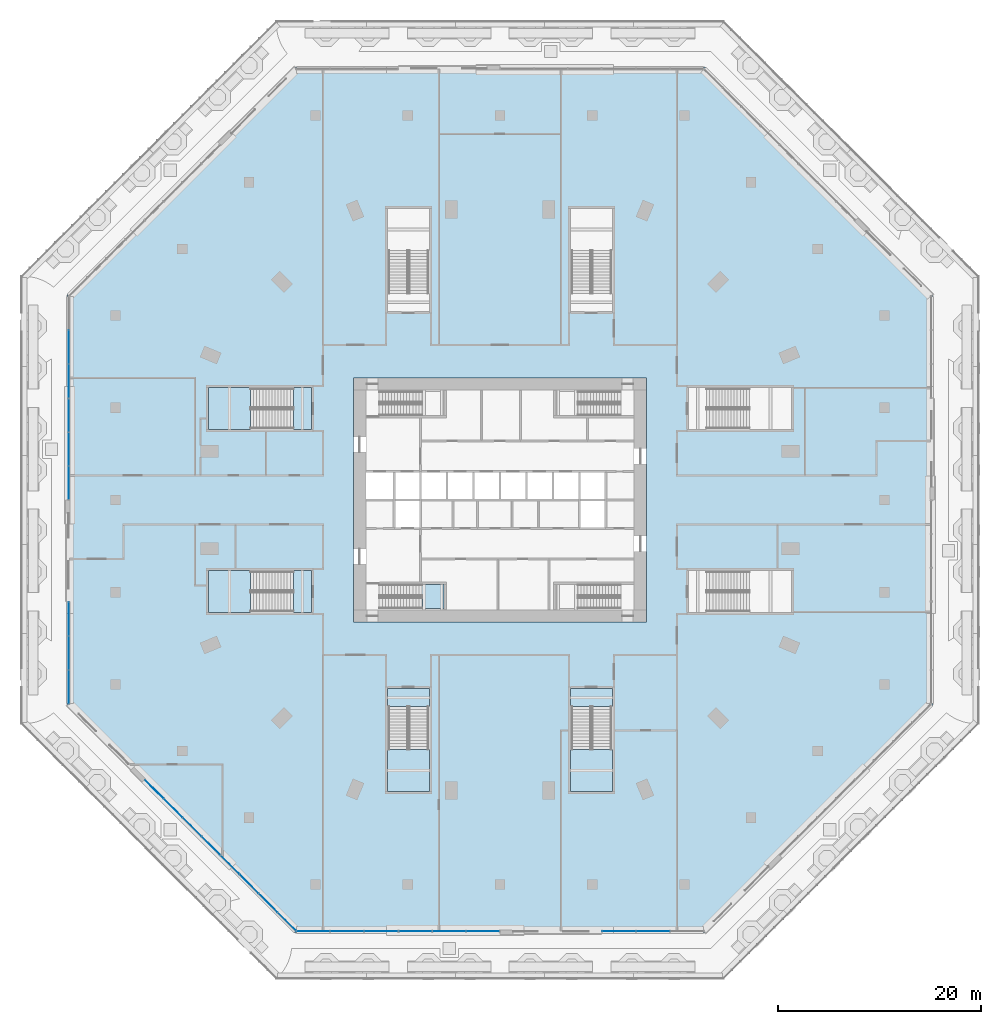
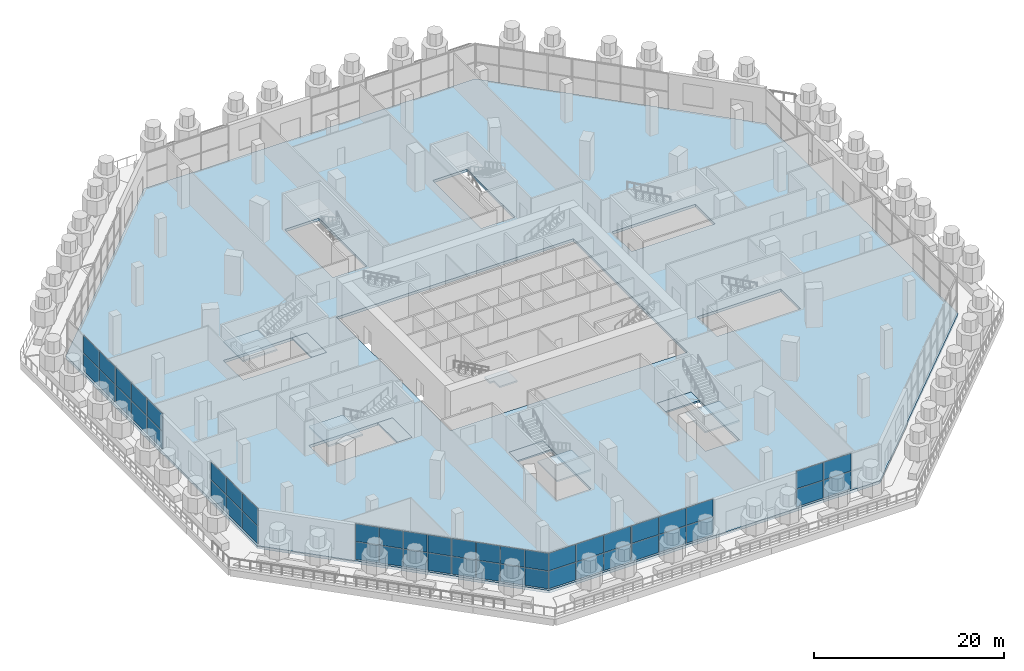
# One storey, part 18 of 32: 48 plates, 10 slabs, 13 elements without a shape of their own.
"""IFC4 building model written with IfcOpenShell, lengths in metres."""

from ifc_helpers import new_model, si_unit, direction, frame, origin, origin_2d, place, context, subcontext, project, spatial, polyline, rectangle, outline, extrude, material, layer, layer_set, type_object, element, aggregate, save


model = new_model("IFC4")

# Units and contexts
model_context = context("Model", 3, precision=1e-05, world=origin(), true_north=direction((0.0, 1.0)))
body_context = subcontext(model_context, "Body", "Model", "MODEL_VIEW")
ifc_project = project(units=[si_unit("LENGTHUNIT", "METRE"), si_unit("AREAUNIT", "SQUARE_METRE"), si_unit("VOLUMEUNIT", "CUBIC_METRE"), si_unit("PLANEANGLEUNIT", "RADIAN"), si_unit("MASSUNIT", "GRAM", prefix="KILO")], contexts=[model_context])

# Site, building, storey
site_placement = place(None, origin())
site = spatial("IfcSite", under=ifc_project, at=site_placement, CompositionType="ELEMENT")
building_placement = place(site_placement, origin())
building = spatial("IfcBuilding", under=site, at=building_placement, Name="Msitu Wima Residences", CompositionType="ELEMENT")
storey_placement = place(building_placement, frame((0.0, 0.0, 6.0)))
storey = spatial("IfcBuildingStorey", under=building, at=storey_placement, Name="L01", CompositionType="ELEMENT", Elevation=6.0)

# Slab
ifc_material_1 = material(Name="Concrete C40/50", Category="concrete")
ifc_layer_1 = layer(ifc_material_1, 0.35009765625)
ifc_layer_set_1 = layer_set([ifc_layer_1], Name="Concrete C40/50")
slab_type_1 = type_object("IfcSlabType", Name="Floor slab FS350", PredefinedType="FLOOR", material=ifc_layer_set_1)
slab_1_placement = place(storey_placement, frame((0.0, 0.0, -0.35009765625)))
element("IfcSlab", 1, at=slab_1_placement, inside=storey, type_object=slab_type_1, Name="Floor slab L01", PredefinedType="FLOOR", context=body_context, shape_type="SweptSolid", body=[
    extrude(outline(polyline([(20.1162109375, -42.60009765625), (-20.1162109375, -42.60009765625), (-42.60009765625, -20.1162109375), (-42.60009765625, 20.1162109375), (-20.1162109375, 42.60009765625), (20.1162109375, 42.60009765625), (42.60009765625, 20.1162109375), (42.60009765625, -20.1162109375), (20.1162109375, -42.60009765625)]), holes=[polyline([(14.39990234375, 12.0), (-14.39990234375, 12.0), (-14.39990234375, -12.0), (14.39990234375, -12.0), (14.39990234375, 12.0)]), polyline([(18.52490234375, 6.925048828125), (28.675048828125, 6.925048828125), (28.675048828125, 11.074951171875), (18.52490234375, 11.074951171875), (18.52490234375, 6.925048828125)]), polyline([(28.675048828125, -6.925048828125), (18.52490234375, -6.925048828125), (18.52490234375, -11.074951171875), (28.675048828125, -11.074951171875), (28.675048828125, -6.925048828125)]), polyline([(-11.074951171875, 28.675048828125), (-11.074951171875, 18.52490234375), (-6.925048828125, 18.52490234375), (-6.925048828125, 28.675048828125), (-11.074951171875, 28.675048828125)]), polyline([(11.074951171875, 18.52490234375), (11.074951171875, 28.675048828125), (6.925048828125, 28.675048828125), (6.925048828125, 18.52490234375), (11.074951171875, 18.52490234375)]), polyline([(-18.52490234375, -6.925048828125), (-28.675048828125, -6.925048828125), (-28.675048828125, -11.074951171875), (-18.52490234375, -11.074951171875), (-18.52490234375, -6.925048828125)]), polyline([(-28.675048828125, 6.925048828125), (-18.52490234375, 6.925048828125), (-18.52490234375, 11.074951171875), (-28.675048828125, 11.074951171875), (-28.675048828125, 6.925048828125)]), polyline([(11.074951171875, -28.675048828125), (11.074951171875, -18.52490234375), (6.925048828125, -18.52490234375), (6.925048828125, -28.675048828125), (11.074951171875, -28.675048828125)]), polyline([(-11.074951171875, -18.52490234375), (-11.074951171875, -28.675048828125), (-6.925048828125, -28.675048828125), (-6.925048828125, -18.52490234375), (-11.074951171875, -18.52490234375)])]), origin(), (0.0, 0.0, 1.0), 0.35009765625),
])

# Curtain wall, plates
ifc_material_2 = material(Name="Anodised aluminium, bronze finish, clear low-emissivity double glazing", Category="aluminium")
curtain_wall_type = type_object("IfcCurtainWallType", Name="Curtain wall CW5 retail shopfront", PredefinedType="NOTDEFINED", material=ifc_material_2)
curtain_wall_1_placement = place(storey_placement, origin())
curtain_wall_1 = element("IfcCurtainWall", 2, at=curtain_wall_1_placement, inside=storey, type_object=curtain_wall_type, Name="Curtain wall CW5 L01 W0", PredefinedType="NOTDEFINED")
ifc_material_3 = material(Name="Clear low-emissivity double glazing", Category="glass")
ifc_layer_2 = layer(ifc_material_3, 0.031982421875)
ifc_layer_set_2 = layer_set([ifc_layer_2], Name="Clear low-emissivity double glazing")
plate_type = type_object("IfcPlateType", Name="Glass panel CW5 32", PredefinedType="CURTAIN_PANEL", material=ifc_layer_set_2)
plate_1_placement = place(storey_placement, frame((-42.39990234375, 15.04052734375, 0.06494140625), z_axis=(0.0, 0.0, 1.0), x_axis=(0.0, -1.0, 0.0)))
plate_1 = element("IfcPlate", 3, at=plate_1_placement, type_object=plate_type, Name="CW5 panel 2.1", PredefinedType="CURTAIN_PANEL", context=body_context, shape_type="SweptSolid", body=[
    extrude(rectangle(XDim=3.298095703125, YDim=0.031982421875, at=origin_2d()), origin(), (0.0, 0.0, 1.0), 2.25244140625),
])
plate_2_placement = place(storey_placement, frame((-42.39990234375, 15.04052734375, 2.382568359375), z_axis=(0.0, 0.0, 1.0), x_axis=(0.0, -1.0, 0.0)))
plate_2 = element("IfcPlate", 4, at=plate_2_placement, type_object=plate_type, Name="CW5 panel 2.2", PredefinedType="CURTAIN_PANEL", context=body_context, shape_type="SweptSolid", body=[
    extrude(rectangle(XDim=3.298095703125, YDim=0.031982421875, at=origin_2d()), origin(), (0.0, 0.0, 1.0), 2.25244140625),
])
plate_3_placement = place(storey_placement, frame((-42.39990234375, 11.693603515625, 0.06494140625), z_axis=(0.0, 0.0, 1.0), x_axis=(0.0, -1.0, 0.0)))
plate_3 = element("IfcPlate", 5, at=plate_3_placement, type_object=plate_type, Name="CW5 panel 3.1", PredefinedType="CURTAIN_PANEL", context=body_context, shape_type="SweptSolid", body=[
    extrude(rectangle(XDim=3.265625, YDim=0.031982421875, at=origin_2d()), origin(), (0.0, 0.0, 1.0), 2.25244140625),
])
plate_4_placement = place(storey_placement, frame((-42.39990234375, 11.693603515625, 2.382568359375), z_axis=(0.0, 0.0, 1.0), x_axis=(0.0, -1.0, 0.0)))
plate_4 = element("IfcPlate", 6, at=plate_4_placement, type_object=plate_type, Name="CW5 panel 3.2", PredefinedType="CURTAIN_PANEL", context=body_context, shape_type="SweptSolid", body=[
    extrude(rectangle(XDim=3.265625, YDim=0.031982421875, at=origin_2d()), origin(), (0.0, 0.0, 1.0), 2.25244140625),
])
aggregate(curtain_wall_1, [plate_1, plate_2, plate_3, plate_4])

curtain_wall_2_placement = place(storey_placement, origin())
curtain_wall_2 = element("IfcCurtainWall", 7, at=curtain_wall_2_placement, inside=storey, type_object=curtain_wall_type, Name="Curtain wall CW5 L01 W1", PredefinedType="NOTDEFINED")
plate_5_placement = place(storey_placement, frame((-42.39990234375, 8.313720703125, 0.06494140625), z_axis=(0.0, 0.0, 1.0), x_axis=(0.0, -1.0, 0.0)))
plate_5 = element("IfcPlate", 8, at=plate_5_placement, type_object=plate_type, Name="CW5 panel 1.1", PredefinedType="CURTAIN_PANEL", context=body_context, shape_type="SweptSolid", body=[
    extrude(rectangle(XDim=3.234375, YDim=0.031982421875, at=origin_2d()), origin(), (0.0, 0.0, 1.0), 2.25244140625),
])
plate_6_placement = place(storey_placement, frame((-42.39990234375, 8.313720703125, 2.382568359375), z_axis=(0.0, 0.0, 1.0), x_axis=(0.0, -1.0, 0.0)))
plate_6 = element("IfcPlate", 9, at=plate_6_placement, type_object=plate_type, Name="CW5 panel 1.2", PredefinedType="CURTAIN_PANEL", context=body_context, shape_type="SweptSolid", body=[
    extrude(rectangle(XDim=3.234375, YDim=0.031982421875, at=origin_2d()), origin(), (0.0, 0.0, 1.0), 2.25244140625),
])
plate_7_placement = place(storey_placement, frame((-42.39990234375, 4.998046875, 0.06494140625), z_axis=(0.0, 0.0, 1.0), x_axis=(0.0, -1.0, 0.0)))
plate_7 = element("IfcPlate", 10, at=plate_7_placement, type_object=plate_type, Name="CW5 panel 2.1", PredefinedType="CURTAIN_PANEL", context=body_context, shape_type="SweptSolid", body=[
    extrude(rectangle(XDim=3.26708984375, YDim=0.031982421875, at=origin_2d()), origin(), (0.0, 0.0, 1.0), 2.25244140625),
])
plate_8_placement = place(storey_placement, frame((-42.39990234375, 4.998046875, 2.382568359375), z_axis=(0.0, 0.0, 1.0), x_axis=(0.0, -1.0, 0.0)))
plate_8 = element("IfcPlate", 11, at=plate_8_placement, type_object=plate_type, Name="CW5 panel 2.2", PredefinedType="CURTAIN_PANEL", context=body_context, shape_type="SweptSolid", body=[
    extrude(rectangle(XDim=3.26708984375, YDim=0.031982421875, at=origin_2d()), origin(), (0.0, 0.0, 1.0), 2.25244140625),
])
plate_9_placement = place(storey_placement, frame((-42.39990234375, 1.68212890625, 0.06494140625), z_axis=(0.0, 0.0, 1.0), x_axis=(0.0, -1.0, 0.0)))
plate_9 = element("IfcPlate", 12, at=plate_9_placement, type_object=plate_type, Name="CW5 panel 3.1", PredefinedType="CURTAIN_PANEL", context=body_context, shape_type="SweptSolid", body=[
    extrude(rectangle(XDim=3.234375, YDim=0.031982421875, at=origin_2d()), origin(), (0.0, 0.0, 1.0), 2.25244140625),
])
plate_10_placement = place(storey_placement, frame((-42.39990234375, 1.68212890625, 2.382568359375), z_axis=(0.0, 0.0, 1.0), x_axis=(0.0, -1.0, 0.0)))
plate_10 = element("IfcPlate", 13, at=plate_10_placement, type_object=plate_type, Name="CW5 panel 3.2", PredefinedType="CURTAIN_PANEL", context=body_context, shape_type="SweptSolid", body=[
    extrude(rectangle(XDim=3.234375, YDim=0.031982421875, at=origin_2d()), origin(), (0.0, 0.0, 1.0), 2.25244140625),
])
aggregate(curtain_wall_2, [plate_5, plate_6, plate_7, plate_8, plate_9, plate_10])

curtain_wall_3_placement = place(storey_placement, origin())
curtain_wall_3 = element("IfcCurtainWall", 14, at=curtain_wall_3_placement, inside=storey, type_object=curtain_wall_type, Name="Curtain wall CW5 L01 W3", PredefinedType="NOTDEFINED")
plate_11_placement = place(storey_placement, frame((-42.39990234375, -11.693603515625, 0.06494140625), z_axis=(0.0, 0.0, 1.0), x_axis=(0.0, -1.0, 0.0)))
plate_11 = element("IfcPlate", 15, at=plate_11_placement, type_object=plate_type, Name="CW5 panel 1.1", PredefinedType="CURTAIN_PANEL", context=body_context, shape_type="SweptSolid", body=[
    extrude(rectangle(XDim=3.265625, YDim=0.031982421875, at=origin_2d()), origin(), (0.0, 0.0, 1.0), 2.25244140625),
])
plate_12_placement = place(storey_placement, frame((-42.39990234375, -11.693603515625, 2.382568359375), z_axis=(0.0, 0.0, 1.0), x_axis=(0.0, -1.0, 0.0)))
plate_12 = element("IfcPlate", 16, at=plate_12_placement, type_object=plate_type, Name="CW5 panel 1.2", PredefinedType="CURTAIN_PANEL", context=body_context, shape_type="SweptSolid", body=[
    extrude(rectangle(XDim=3.265625, YDim=0.031982421875, at=origin_2d()), origin(), (0.0, 0.0, 1.0), 2.25244140625),
])
plate_13_placement = place(storey_placement, frame((-42.39990234375, -15.04052734375, 0.06494140625), z_axis=(0.0, 0.0, 1.0), x_axis=(0.0, -1.0, 0.0)))
plate_13 = element("IfcPlate", 17, at=plate_13_placement, type_object=plate_type, Name="CW5 panel 2.1", PredefinedType="CURTAIN_PANEL", context=body_context, shape_type="SweptSolid", body=[
    extrude(rectangle(XDim=3.298095703125, YDim=0.031982421875, at=origin_2d()), origin(), (0.0, 0.0, 1.0), 2.25244140625),
])
plate_14_placement = place(storey_placement, frame((-42.39990234375, -15.04052734375, 2.382568359375), z_axis=(0.0, 0.0, 1.0), x_axis=(0.0, -1.0, 0.0)))
plate_14 = element("IfcPlate", 18, at=plate_14_placement, type_object=plate_type, Name="CW5 panel 2.2", PredefinedType="CURTAIN_PANEL", context=body_context, shape_type="SweptSolid", body=[
    extrude(rectangle(XDim=3.298095703125, YDim=0.031982421875, at=origin_2d()), origin(), (0.0, 0.0, 1.0), 2.25244140625),
])
plate_15_placement = place(storey_placement, frame((-42.39990234375, -18.38720703125, 0.06494140625), z_axis=(0.0, 0.0, 1.0), x_axis=(0.0, -1.0, 0.0)))
plate_15 = element("IfcPlate", 19, at=plate_15_placement, type_object=plate_type, Name="CW5 panel 3.1", PredefinedType="CURTAIN_PANEL", context=body_context, shape_type="SweptSolid", body=[
    extrude(rectangle(XDim=3.265625, YDim=0.031982421875, at=origin_2d()), origin(), (0.0, 0.0, 1.0), 2.25244140625),
])
plate_16_placement = place(storey_placement, frame((-42.39990234375, -18.38720703125, 2.382568359375), z_axis=(0.0, 0.0, 1.0), x_axis=(0.0, -1.0, 0.0)))
plate_16 = element("IfcPlate", 20, at=plate_16_placement, type_object=plate_type, Name="CW5 panel 3.2", PredefinedType="CURTAIN_PANEL", context=body_context, shape_type="SweptSolid", body=[
    extrude(rectangle(XDim=3.265625, YDim=0.031982421875, at=origin_2d()), origin(), (0.0, 0.0, 1.0), 2.25244140625),
])
aggregate(curtain_wall_3, [plate_11, plate_12, plate_13, plate_14, plate_15, plate_16])

curtain_wall_4_placement = place(storey_placement, origin())
curtain_wall_4 = element("IfcCurtainWall", 21, at=curtain_wall_4_placement, inside=storey, type_object=curtain_wall_type, Name="Curtain wall CW5 L01 SW1", PredefinedType="NOTDEFINED")
plate_17_placement = place(storey_placement, frame((-33.99365234375, -28.439697265625, 0.06494140625), z_axis=(0.0, 0.0, 1.0), x_axis=(0.707106781187, -0.707106781187, 0.0)))
plate_17 = element("IfcPlate", 22, at=plate_17_placement, type_object=plate_type, Name="CW5 panel 1.1", PredefinedType="CURTAIN_PANEL", context=body_context, shape_type="SweptSolid", body=[
    extrude(rectangle(XDim=2.531494140625, YDim=0.031982421875, at=origin_2d()), origin(), (0.0, 0.0, 1.0), 2.25244140625),
])
plate_18_placement = place(storey_placement, frame((-33.99365234375, -28.439697265625, 2.382568359375), z_axis=(0.0, 0.0, 1.0), x_axis=(0.707106781187, -0.707106781187, 0.0)))
plate_18 = element("IfcPlate", 23, at=plate_18_placement, type_object=plate_type, Name="CW5 panel 1.2", PredefinedType="CURTAIN_PANEL", context=body_context, shape_type="SweptSolid", body=[
    extrude(rectangle(XDim=2.531494140625, YDim=0.031982421875, at=origin_2d()), origin(), (0.0, 0.0, 1.0), 2.25244140625),
])
plate_19_placement = place(storey_placement, frame((-32.146240234375, -30.287109375, 0.06494140625), z_axis=(0.0, 0.0, 1.0), x_axis=(0.707106781187, -0.707106781187, 0.0)))
plate_19 = element("IfcPlate", 24, at=plate_19_placement, type_object=plate_type, Name="CW5 panel 2.1", PredefinedType="CURTAIN_PANEL", context=body_context, shape_type="SweptSolid", body=[
    extrude(rectangle(XDim=2.56396484375, YDim=0.031982421875, at=origin_2d()), origin(), (0.0, 0.0, 1.0), 2.25244140625),
])
plate_20_placement = place(storey_placement, frame((-32.146240234375, -30.287109375, 2.382568359375), z_axis=(0.0, 0.0, 1.0), x_axis=(0.707106781187, -0.707106781187, 0.0)))
plate_20 = element("IfcPlate", 25, at=plate_20_placement, type_object=plate_type, Name="CW5 panel 2.2", PredefinedType="CURTAIN_PANEL", context=body_context, shape_type="SweptSolid", body=[
    extrude(rectangle(XDim=2.56396484375, YDim=0.031982421875, at=origin_2d()), origin(), (0.0, 0.0, 1.0), 2.25244140625),
])
plate_21_placement = place(storey_placement, frame((-30.287109375, -32.146240234375, 0.06494140625), z_axis=(0.0, 0.0, 1.0), x_axis=(0.707106781187, -0.707106781187, 0.0)))
plate_21 = element("IfcPlate", 26, at=plate_21_placement, type_object=plate_type, Name="CW5 panel 3.1", PredefinedType="CURTAIN_PANEL", context=body_context, shape_type="SweptSolid", body=[
    extrude(rectangle(XDim=2.56396484375, YDim=0.031982421875, at=origin_2d()), origin(), (0.0, 0.0, 1.0), 2.25244140625),
])
plate_22_placement = place(storey_placement, frame((-30.287109375, -32.146240234375, 2.382568359375), z_axis=(0.0, 0.0, 1.0), x_axis=(0.707106781187, -0.707106781187, 0.0)))
plate_22 = element("IfcPlate", 27, at=plate_22_placement, type_object=plate_type, Name="CW5 panel 3.2", PredefinedType="CURTAIN_PANEL", context=body_context, shape_type="SweptSolid", body=[
    extrude(rectangle(XDim=2.56396484375, YDim=0.031982421875, at=origin_2d()), origin(), (0.0, 0.0, 1.0), 2.25244140625),
])
plate_23_placement = place(storey_placement, frame((-28.439697265625, -33.99365234375, 0.06494140625), z_axis=(0.0, 0.0, 1.0), x_axis=(0.707106781187, -0.707106781187, 0.0)))
plate_23 = element("IfcPlate", 28, at=plate_23_placement, type_object=plate_type, Name="CW5 panel 4.1", PredefinedType="CURTAIN_PANEL", context=body_context, shape_type="SweptSolid", body=[
    extrude(rectangle(XDim=2.531494140625, YDim=0.031982421875, at=origin_2d()), origin(), (0.0, 0.0, 1.0), 2.25244140625),
])
plate_24_placement = place(storey_placement, frame((-28.439697265625, -33.99365234375, 2.382568359375), z_axis=(0.0, 0.0, 1.0), x_axis=(0.707106781187, -0.707106781187, 0.0)))
plate_24 = element("IfcPlate", 29, at=plate_24_placement, type_object=plate_type, Name="CW5 panel 4.2", PredefinedType="CURTAIN_PANEL", context=body_context, shape_type="SweptSolid", body=[
    extrude(rectangle(XDim=2.531494140625, YDim=0.031982421875, at=origin_2d()), origin(), (0.0, 0.0, 1.0), 2.25244140625),
])
aggregate(curtain_wall_4, [plate_17, plate_18, plate_19, plate_20, plate_21, plate_22, plate_23, plate_24])

curtain_wall_5_placement = place(storey_placement, origin())
curtain_wall_5 = element("IfcCurtainWall", 30, at=curtain_wall_5_placement, inside=storey, type_object=curtain_wall_type, Name="Curtain wall CW5 L01 SW2", PredefinedType="NOTDEFINED")
plate_25_placement = place(storey_placement, frame((-26.54931640625, -35.8837890625, 0.06494140625), z_axis=(0.0, 0.0, 1.0), x_axis=(0.707106781187, -0.707106781187, 0.0)))
plate_25 = element("IfcPlate", 31, at=plate_25_placement, type_object=plate_type, Name="CW5 panel 1.1", PredefinedType="CURTAIN_PANEL", context=body_context, shape_type="SweptSolid", body=[
    extrude(rectangle(XDim=2.554931640625, YDim=0.031982421875, at=origin_2d()), origin(), (0.0, 0.0, 1.0), 2.25244140625),
])
plate_26_placement = place(storey_placement, frame((-26.54931640625, -35.8837890625, 2.382568359375), z_axis=(0.0, 0.0, 1.0), x_axis=(0.707106781187, -0.707106781187, 0.0)))
plate_26 = element("IfcPlate", 32, at=plate_26_placement, type_object=plate_type, Name="CW5 panel 1.2", PredefinedType="CURTAIN_PANEL", context=body_context, shape_type="SweptSolid", body=[
    extrude(rectangle(XDim=2.554931640625, YDim=0.031982421875, at=origin_2d()), origin(), (0.0, 0.0, 1.0), 2.25244140625),
])
plate_27_placement = place(storey_placement, frame((-24.685302734375, -37.747802734375, 0.06494140625), z_axis=(0.0, 0.0, 1.0), x_axis=(0.707106781187, -0.707106781187, 0.0)))
plate_27 = element("IfcPlate", 33, at=plate_27_placement, type_object=plate_type, Name="CW5 panel 2.1", PredefinedType="CURTAIN_PANEL", context=body_context, shape_type="SweptSolid", body=[
    extrude(rectangle(XDim=2.58740234375, YDim=0.031982421875, at=origin_2d()), origin(), (0.0, 0.0, 1.0), 2.25244140625),
])
plate_28_placement = place(storey_placement, frame((-24.685302734375, -37.747802734375, 2.382568359375), z_axis=(0.0, 0.0, 1.0), x_axis=(0.707106781187, -0.707106781187, 0.0)))
plate_28 = element("IfcPlate", 34, at=plate_28_placement, type_object=plate_type, Name="CW5 panel 2.2", PredefinedType="CURTAIN_PANEL", context=body_context, shape_type="SweptSolid", body=[
    extrude(rectangle(XDim=2.58740234375, YDim=0.031982421875, at=origin_2d()), origin(), (0.0, 0.0, 1.0), 2.25244140625),
])
plate_29_placement = place(storey_placement, frame((-22.809814453125, -39.623291015625, 0.06494140625), z_axis=(0.0, 0.0, 1.0), x_axis=(0.707106781187, -0.707106781187, 0.0)))
plate_29 = element("IfcPlate", 35, at=plate_29_placement, type_object=plate_type, Name="CW5 panel 3.1", PredefinedType="CURTAIN_PANEL", context=body_context, shape_type="SweptSolid", body=[
    extrude(rectangle(XDim=2.58740234375, YDim=0.031982421875, at=origin_2d()), origin(), (0.0, 0.0, 1.0), 2.25244140625),
])
plate_30_placement = place(storey_placement, frame((-22.809814453125, -39.623291015625, 2.382568359375), z_axis=(0.0, 0.0, 1.0), x_axis=(0.707106781187, -0.707106781187, 0.0)))
plate_30 = element("IfcPlate", 36, at=plate_30_placement, type_object=plate_type, Name="CW5 panel 3.2", PredefinedType="CURTAIN_PANEL", context=body_context, shape_type="SweptSolid", body=[
    extrude(rectangle(XDim=2.58740234375, YDim=0.031982421875, at=origin_2d()), origin(), (0.0, 0.0, 1.0), 2.25244140625),
])
plate_31_placement = place(storey_placement, frame((-20.946044921875, -41.4873046875, 0.06494140625), z_axis=(0.0, 0.0, 1.0), x_axis=(0.707106781187, -0.707106781187, 0.0)))
plate_31 = element("IfcPlate", 37, at=plate_31_placement, type_object=plate_type, Name="CW5 panel 4.1", PredefinedType="CURTAIN_PANEL", context=body_context, shape_type="SweptSolid", body=[
    extrude(rectangle(XDim=2.554931640625, YDim=0.031982421875, at=origin_2d()), origin(), (0.0, 0.0, 1.0), 2.25244140625),
])
plate_32_placement = place(storey_placement, frame((-20.946044921875, -41.4873046875, 2.382568359375), z_axis=(0.0, 0.0, 1.0), x_axis=(0.707106781187, -0.707106781187, 0.0)))
plate_32 = element("IfcPlate", 38, at=plate_32_placement, type_object=plate_type, Name="CW5 panel 4.2", PredefinedType="CURTAIN_PANEL", context=body_context, shape_type="SweptSolid", body=[
    extrude(rectangle(XDim=2.554931640625, YDim=0.031982421875, at=origin_2d()), origin(), (0.0, 0.0, 1.0), 2.25244140625),
])
aggregate(curtain_wall_5, [plate_25, plate_26, plate_27, plate_28, plate_29, plate_30, plate_31, plate_32])

curtain_wall_6_placement = place(storey_placement, origin())
curtain_wall_6 = element("IfcCurtainWall", 39, at=curtain_wall_6_placement, inside=storey, type_object=curtain_wall_type, Name="Curtain wall CW5 L01 S0", PredefinedType="NOTDEFINED")
plate_33_placement = place(storey_placement, frame((-18.38720703125, -42.39990234375, 0.06494140625), z_axis=(0.0, 0.0, 1.0), x_axis=(1.0, 0.0, 0.0)))
plate_33 = element("IfcPlate", 40, at=plate_33_placement, type_object=plate_type, Name="CW5 panel 1.1", PredefinedType="CURTAIN_PANEL", context=body_context, shape_type="SweptSolid", body=[
    extrude(rectangle(XDim=3.265625, YDim=0.031982421875, at=origin_2d()), origin(), (0.0, 0.0, 1.0), 2.25244140625),
])
plate_34_placement = place(storey_placement, frame((-18.38720703125, -42.39990234375, 2.382568359375), z_axis=(0.0, 0.0, 1.0), x_axis=(1.0, 0.0, 0.0)))
plate_34 = element("IfcPlate", 41, at=plate_34_placement, type_object=plate_type, Name="CW5 panel 1.2", PredefinedType="CURTAIN_PANEL", context=body_context, shape_type="SweptSolid", body=[
    extrude(rectangle(XDim=3.265625, YDim=0.031982421875, at=origin_2d()), origin(), (0.0, 0.0, 1.0), 2.25244140625),
])
plate_35_placement = place(storey_placement, frame((-15.04052734375, -42.39990234375, 0.06494140625), z_axis=(0.0, 0.0, 1.0), x_axis=(1.0, 0.0, 0.0)))
plate_35 = element("IfcPlate", 42, at=plate_35_placement, type_object=plate_type, Name="CW5 panel 2.1", PredefinedType="CURTAIN_PANEL", context=body_context, shape_type="SweptSolid", body=[
    extrude(rectangle(XDim=3.298095703125, YDim=0.031982421875, at=origin_2d()), origin(), (0.0, 0.0, 1.0), 2.25244140625),
])
plate_36_placement = place(storey_placement, frame((-15.04052734375, -42.39990234375, 2.382568359375), z_axis=(0.0, 0.0, 1.0), x_axis=(1.0, 0.0, 0.0)))
plate_36 = element("IfcPlate", 43, at=plate_36_placement, type_object=plate_type, Name="CW5 panel 2.2", PredefinedType="CURTAIN_PANEL", context=body_context, shape_type="SweptSolid", body=[
    extrude(rectangle(XDim=3.298095703125, YDim=0.031982421875, at=origin_2d()), origin(), (0.0, 0.0, 1.0), 2.25244140625),
])
plate_37_placement = place(storey_placement, frame((-11.693603515625, -42.39990234375, 0.06494140625), z_axis=(0.0, 0.0, 1.0), x_axis=(1.0, 0.0, 0.0)))
plate_37 = element("IfcPlate", 44, at=plate_37_placement, type_object=plate_type, Name="CW5 panel 3.1", PredefinedType="CURTAIN_PANEL", context=body_context, shape_type="SweptSolid", body=[
    extrude(rectangle(XDim=3.265625, YDim=0.031982421875, at=origin_2d()), origin(), (0.0, 0.0, 1.0), 2.25244140625),
])
plate_38_placement = place(storey_placement, frame((-11.693603515625, -42.39990234375, 2.382568359375), z_axis=(0.0, 0.0, 1.0), x_axis=(1.0, 0.0, 0.0)))
plate_38 = element("IfcPlate", 45, at=plate_38_placement, type_object=plate_type, Name="CW5 panel 3.2", PredefinedType="CURTAIN_PANEL", context=body_context, shape_type="SweptSolid", body=[
    extrude(rectangle(XDim=3.265625, YDim=0.031982421875, at=origin_2d()), origin(), (0.0, 0.0, 1.0), 2.25244140625),
])
aggregate(curtain_wall_6, [plate_33, plate_34, plate_35, plate_36, plate_37, plate_38])

curtain_wall_7_placement = place(storey_placement, origin())
curtain_wall_7 = element("IfcCurtainWall", 46, at=curtain_wall_7_placement, inside=storey, type_object=curtain_wall_type, Name="Curtain wall CW5 L01 S1", PredefinedType="NOTDEFINED")
plate_39_placement = place(storey_placement, frame((-8.313720703125, -42.39990234375, 0.06494140625), z_axis=(0.0, 0.0, 1.0), x_axis=(1.0, 0.0, 0.0)))
plate_39 = element("IfcPlate", 47, at=plate_39_placement, type_object=plate_type, Name="CW5 panel 1.1", PredefinedType="CURTAIN_PANEL", context=body_context, shape_type="SweptSolid", body=[
    extrude(rectangle(XDim=3.234375, YDim=0.031982421875, at=origin_2d()), origin(), (0.0, 0.0, 1.0), 2.25244140625),
])
plate_40_placement = place(storey_placement, frame((-8.313720703125, -42.39990234375, 2.382568359375), z_axis=(0.0, 0.0, 1.0), x_axis=(1.0, 0.0, 0.0)))
plate_40 = element("IfcPlate", 48, at=plate_40_placement, type_object=plate_type, Name="CW5 panel 1.2", PredefinedType="CURTAIN_PANEL", context=body_context, shape_type="SweptSolid", body=[
    extrude(rectangle(XDim=3.234375, YDim=0.031982421875, at=origin_2d()), origin(), (0.0, 0.0, 1.0), 2.25244140625),
])
plate_41_placement = place(storey_placement, frame((-4.998046875, -42.39990234375, 0.06494140625), z_axis=(0.0, 0.0, 1.0), x_axis=(1.0, 0.0, 0.0)))
plate_41 = element("IfcPlate", 49, at=plate_41_placement, type_object=plate_type, Name="CW5 panel 2.1", PredefinedType="CURTAIN_PANEL", context=body_context, shape_type="SweptSolid", body=[
    extrude(rectangle(XDim=3.26708984375, YDim=0.031982421875, at=origin_2d()), origin(), (0.0, 0.0, 1.0), 2.25244140625),
])
plate_42_placement = place(storey_placement, frame((-4.998046875, -42.39990234375, 2.382568359375), z_axis=(0.0, 0.0, 1.0), x_axis=(1.0, 0.0, 0.0)))
plate_42 = element("IfcPlate", 50, at=plate_42_placement, type_object=plate_type, Name="CW5 panel 2.2", PredefinedType="CURTAIN_PANEL", context=body_context, shape_type="SweptSolid", body=[
    extrude(rectangle(XDim=3.26708984375, YDim=0.031982421875, at=origin_2d()), origin(), (0.0, 0.0, 1.0), 2.25244140625),
])
plate_43_placement = place(storey_placement, frame((-1.68212890625, -42.39990234375, 0.06494140625), z_axis=(0.0, 0.0, 1.0), x_axis=(1.0, 0.0, 0.0)))
plate_43 = element("IfcPlate", 51, at=plate_43_placement, type_object=plate_type, Name="CW5 panel 3.1", PredefinedType="CURTAIN_PANEL", context=body_context, shape_type="SweptSolid", body=[
    extrude(rectangle(XDim=3.234375, YDim=0.031982421875, at=origin_2d()), origin(), (0.0, 0.0, 1.0), 2.25244140625),
])
plate_44_placement = place(storey_placement, frame((-1.68212890625, -42.39990234375, 2.382568359375), z_axis=(0.0, 0.0, 1.0), x_axis=(1.0, 0.0, 0.0)))
plate_44 = element("IfcPlate", 52, at=plate_44_placement, type_object=plate_type, Name="CW5 panel 3.2", PredefinedType="CURTAIN_PANEL", context=body_context, shape_type="SweptSolid", body=[
    extrude(rectangle(XDim=3.234375, YDim=0.031982421875, at=origin_2d()), origin(), (0.0, 0.0, 1.0), 2.25244140625),
])
aggregate(curtain_wall_7, [plate_39, plate_40, plate_41, plate_42, plate_43, plate_44])

curtain_wall_8_placement = place(storey_placement, origin())
curtain_wall_8 = element("IfcCurtainWall", 53, at=curtain_wall_8_placement, inside=storey, type_object=curtain_wall_type, Name="Curtain wall CW5 L01 S3", PredefinedType="NOTDEFINED")
plate_45_placement = place(storey_placement, frame((11.693603515625, -42.39990234375, 0.06494140625), z_axis=(0.0, 0.0, 1.0), x_axis=(1.0, 0.0, 0.0)))
plate_45 = element("IfcPlate", 54, at=plate_45_placement, type_object=plate_type, Name="CW5 panel 1.1", PredefinedType="CURTAIN_PANEL", context=body_context, shape_type="SweptSolid", body=[
    extrude(rectangle(XDim=3.265625, YDim=0.031982421875, at=origin_2d()), origin(), (0.0, 0.0, 1.0), 2.25244140625),
])
plate_46_placement = place(storey_placement, frame((11.693603515625, -42.39990234375, 2.382568359375), z_axis=(0.0, 0.0, 1.0), x_axis=(1.0, 0.0, 0.0)))
plate_46 = element("IfcPlate", 55, at=plate_46_placement, type_object=plate_type, Name="CW5 panel 1.2", PredefinedType="CURTAIN_PANEL", context=body_context, shape_type="SweptSolid", body=[
    extrude(rectangle(XDim=3.265625, YDim=0.031982421875, at=origin_2d()), origin(), (0.0, 0.0, 1.0), 2.25244140625),
])
plate_47_placement = place(storey_placement, frame((15.04052734375, -42.39990234375, 0.06494140625), z_axis=(0.0, 0.0, 1.0), x_axis=(1.0, 0.0, 0.0)))
plate_47 = element("IfcPlate", 56, at=plate_47_placement, type_object=plate_type, Name="CW5 panel 2.1", PredefinedType="CURTAIN_PANEL", context=body_context, shape_type="SweptSolid", body=[
    extrude(rectangle(XDim=3.298095703125, YDim=0.031982421875, at=origin_2d()), origin(), (0.0, 0.0, 1.0), 2.25244140625),
])
plate_48_placement = place(storey_placement, frame((15.04052734375, -42.39990234375, 2.382568359375), z_axis=(0.0, 0.0, 1.0), x_axis=(1.0, 0.0, 0.0)))
plate_48 = element("IfcPlate", 57, at=plate_48_placement, type_object=plate_type, Name="CW5 panel 2.2", PredefinedType="CURTAIN_PANEL", context=body_context, shape_type="SweptSolid", body=[
    extrude(rectangle(XDim=3.298095703125, YDim=0.031982421875, at=origin_2d()), origin(), (0.0, 0.0, 1.0), 2.25244140625),
])
aggregate(curtain_wall_8, [plate_45, plate_46, plate_47, plate_48])

# Stair, slab
stair_type_1 = type_object("IfcStairType", Name="Exit stair ES1667-110", PredefinedType="HALF_TURN_STAIR", material=ifc_material_1)
stair_1_placement = place(storey_placement, origin())
stair_1 = element("IfcStair", 58, at=stair_1_placement, inside=storey, type_object=stair_type_1, Name="Exit stair 2", PredefinedType="HALF_TURN_STAIR")
ifc_layer_3 = layer(ifc_material_1, 0.199951171875)
ifc_layer_set_3 = layer_set([ifc_layer_3], Name="Concrete C40/50")
slab_type_2 = type_object("IfcSlabType", Name="Stair landing SL200", PredefinedType="LANDING", material=ifc_layer_set_3)
slab_2_placement = place(storey_placement, frame((0.0, 0.0, 2.300048828125)))
slab_2 = element("IfcSlab", 59, at=slab_2_placement, type_object=slab_type_2, Name="S2 landing 1", PredefinedType="LANDING", context=body_context, shape_type="SweptSolid", body=[
    extrude(outline(polyline([(-5.52490234375, -10.675048828125), (-7.675537109375, -10.675048828125), (-7.675537109375, -9.5), (-8.175048828125, -9.5), (-8.175048828125, -8.324951171875), (-5.52490234375, -8.324951171875), (-5.52490234375, -10.675048828125)])), origin(), (0.0, 0.0, 1.0), 0.199951171875),
])
aggregate(stair_1, [slab_2])

stair_type_2 = type_object("IfcStairType", Name="Podium exit stair PX1667-190", PredefinedType="HALF_TURN_STAIR", material=ifc_material_1)
stair_2_placement = place(storey_placement, origin())
stair_2 = element("IfcStair", 60, at=stair_2_placement, inside=storey, type_object=stair_type_2, Name="Podium exit stair 5", PredefinedType="HALF_TURN_STAIR")
slab_3_placement = place(storey_placement, frame((0.0, 0.0, 2.300048828125)))
slab_3 = element("IfcSlab", 61, at=slab_3_placement, type_object=slab_type_2, Name="PS5 landing 1", PredefinedType="LANDING", context=body_context, shape_type="SweptSolid", body=[
    extrude(outline(polyline([(-24.52490234375, -6.925048828125), (-28.675048828125, -6.925048828125), (-28.675048828125, -11.074951171875), (-24.52490234375, -11.074951171875), (-24.52490234375, -6.925048828125)])), origin(), (0.0, 0.0, 1.0), 0.199951171875),
])
aggregate(stair_2, [slab_3])

# Slab
slab_4_placement = place(storey_placement, frame((0.0, 0.0, -0.199951171875)))
element("IfcSlab", 62, at=slab_4_placement, inside=storey, type_object=slab_type_2, Name="Podium exit stair 5 floor landing", PredefinedType="LANDING", context=body_context, shape_type="SweptSolid", body=[
    extrude(outline(polyline([(-18.52490234375, -6.925048828125), (-20.324951171875, -6.925048828125), (-20.324951171875, -11.074951171875), (-18.52490234375, -11.074951171875), (-18.52490234375, -6.925048828125)])), origin(), (0.0, 0.0, 1.0), 0.199951171875),
])

# Stair, slab
stair_3_placement = place(storey_placement, origin())
stair_3 = element("IfcStair", 63, at=stair_3_placement, inside=storey, type_object=stair_type_2, Name="Podium exit stair 6", PredefinedType="HALF_TURN_STAIR")
slab_5_placement = place(storey_placement, frame((0.0, 0.0, 2.300048828125)))
slab_5 = element("IfcSlab", 64, at=slab_5_placement, type_object=slab_type_2, Name="PS6 landing 1", PredefinedType="LANDING", context=body_context, shape_type="SweptSolid", body=[
    extrude(outline(polyline([(-24.52490234375, 6.925048828125), (-28.675048828125, 6.925048828125), (-28.675048828125, 11.074951171875), (-24.52490234375, 11.074951171875), (-24.52490234375, 6.925048828125)])), origin(), (0.0, 0.0, 1.0), 0.199951171875),
])
aggregate(stair_3, [slab_5])

# Slab
slab_6_placement = place(storey_placement, frame((0.0, 0.0, -0.199951171875)))
element("IfcSlab", 65, at=slab_6_placement, inside=storey, type_object=slab_type_2, Name="Podium exit stair 6 floor landing", PredefinedType="LANDING", context=body_context, shape_type="SweptSolid", body=[
    extrude(outline(polyline([(-18.52490234375, 6.925048828125), (-20.324951171875, 6.925048828125), (-20.324951171875, 11.074951171875), (-18.52490234375, 11.074951171875), (-18.52490234375, 6.925048828125)])), origin(), (0.0, 0.0, 1.0), 0.199951171875),
])

# Stair, slab
stair_4_placement = place(storey_placement, origin())
stair_4 = element("IfcStair", 66, at=stair_4_placement, inside=storey, type_object=stair_type_2, Name="Podium exit stair 7", PredefinedType="HALF_TURN_STAIR")
slab_7_placement = place(storey_placement, frame((0.0, 0.0, 2.300048828125)))
slab_7 = element("IfcSlab", 67, at=slab_7_placement, type_object=slab_type_2, Name="PS7 landing 1", PredefinedType="LANDING", context=body_context, shape_type="SweptSolid", body=[
    extrude(outline(polyline([(6.925048828125, -24.52490234375), (6.925048828125, -28.675048828125), (11.074951171875, -28.675048828125), (11.074951171875, -24.52490234375), (6.925048828125, -24.52490234375)])), origin(), (0.0, 0.0, 1.0), 0.199951171875),
])
aggregate(stair_4, [slab_7])

# Slab
slab_8_placement = place(storey_placement, frame((0.0, 0.0, -0.199951171875)))
element("IfcSlab", 68, at=slab_8_placement, inside=storey, type_object=slab_type_2, Name="Podium exit stair 7 floor landing", PredefinedType="LANDING", context=body_context, shape_type="SweptSolid", body=[
    extrude(outline(polyline([(6.925048828125, -18.52490234375), (6.925048828125, -20.324951171875), (11.074951171875, -20.324951171875), (11.074951171875, -18.52490234375), (6.925048828125, -18.52490234375)])), origin(), (0.0, 0.0, 1.0), 0.199951171875),
])

# Stair, slab
stair_5_placement = place(storey_placement, origin())
stair_5 = element("IfcStair", 69, at=stair_5_placement, inside=storey, type_object=stair_type_2, Name="Podium exit stair 8", PredefinedType="HALF_TURN_STAIR")
slab_9_placement = place(storey_placement, frame((0.0, 0.0, 2.300048828125)))
slab_9 = element("IfcSlab", 70, at=slab_9_placement, type_object=slab_type_2, Name="PS8 landing 1", PredefinedType="LANDING", context=body_context, shape_type="SweptSolid", body=[
    extrude(outline(polyline([(-6.925048828125, -24.52490234375), (-6.925048828125, -28.675048828125), (-11.074951171875, -28.675048828125), (-11.074951171875, -24.52490234375), (-6.925048828125, -24.52490234375)])), origin(), (0.0, 0.0, 1.0), 0.199951171875),
])
aggregate(stair_5, [slab_9])

# Slab
slab_10_placement = place(storey_placement, frame((0.0, 0.0, -0.199951171875)))
element("IfcSlab", 71, at=slab_10_placement, inside=storey, type_object=slab_type_2, Name="Podium exit stair 8 floor landing", PredefinedType="LANDING", context=body_context, shape_type="SweptSolid", body=[
    extrude(outline(polyline([(-6.925048828125, -18.52490234375), (-6.925048828125, -20.324951171875), (-11.074951171875, -20.324951171875), (-11.074951171875, -18.52490234375), (-6.925048828125, -18.52490234375)])), origin(), (0.0, 0.0, 1.0), 0.199951171875),
])

save(model, "model.ifc")
